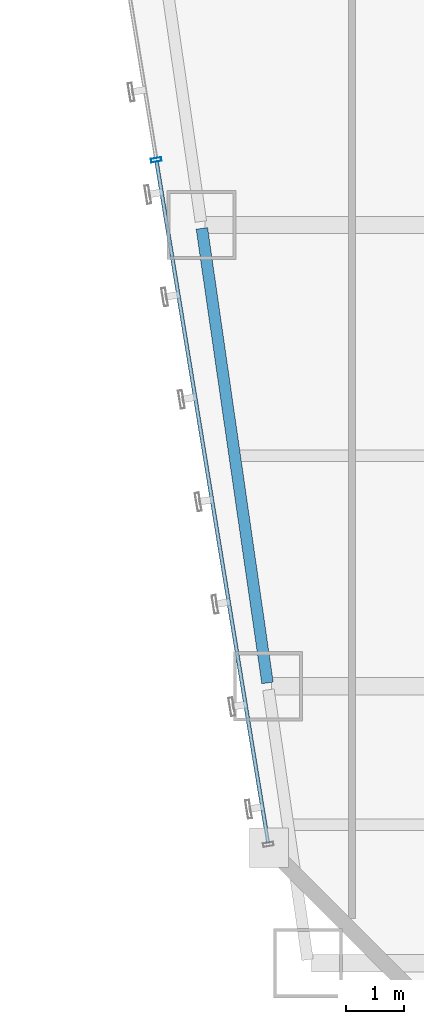
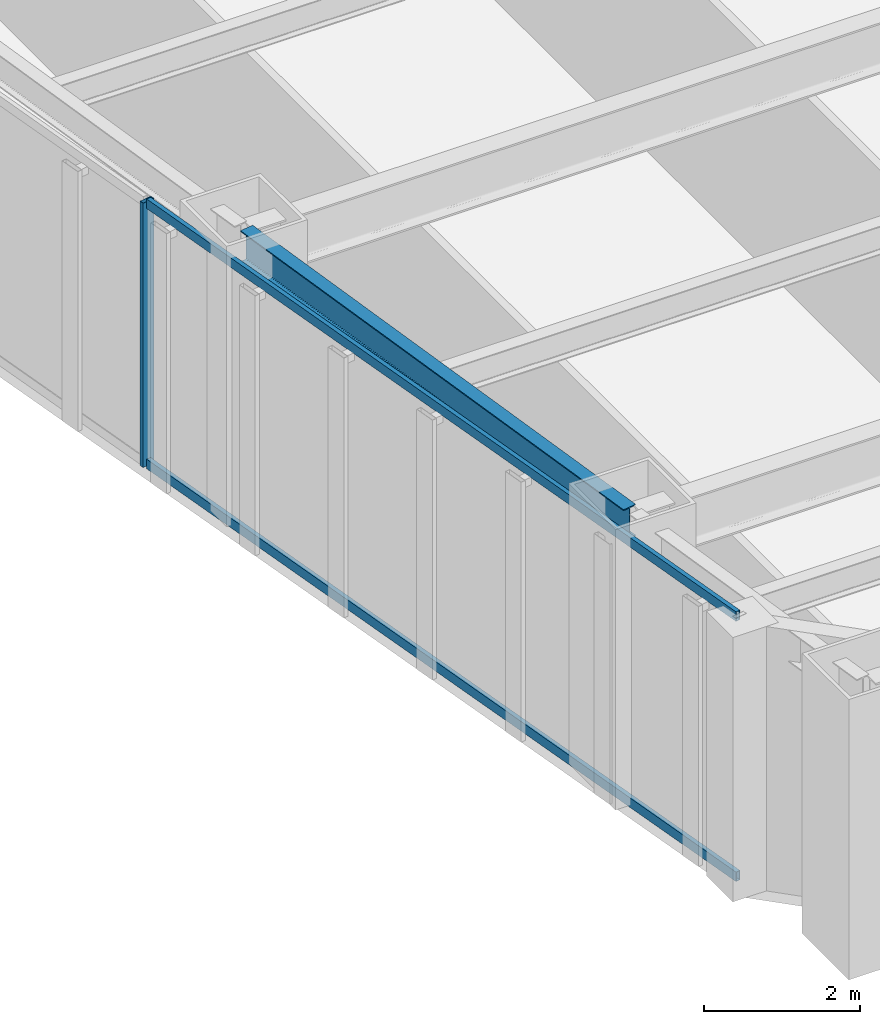
# One storey, part 5 of 47: 3 members, 1 beam, 1 element without a shape of its own.
"""IFC4 building model written with IfcOpenShell, lengths in metres."""

from ifc_helpers import new_model, si_unit, direction, frame, origin, origin_2d, place, context, subcontext, project, spatial, hollow_rectangle, i_section, extrude, material, material_profile, profile_set, type_object, element, aggregate, save


model = new_model("IFC4")

# Units and contexts
model_context = context("Model", 3, precision=1e-05, world=origin(), true_north=direction((0.0, 1.0)))
body_context = subcontext(model_context, "Body", "Model", "MODEL_VIEW")
ifc_project = project(units=[si_unit("LENGTHUNIT", "METRE"), si_unit("AREAUNIT", "SQUARE_METRE"), si_unit("VOLUMEUNIT", "CUBIC_METRE"), si_unit("PLANEANGLEUNIT", "RADIAN"), si_unit("MASSUNIT", "GRAM", prefix="KILO")], contexts=[model_context])

# Site, building, storey
site_placement = place(None, origin())
site = spatial("IfcSite", under=ifc_project, at=site_placement, CompositionType="ELEMENT")
building_placement = place(site_placement, origin())
building = spatial("IfcBuilding", under=site, at=building_placement, Name="Saevonmaru Cultural Tower", CompositionType="ELEMENT")
storey_placement = place(building_placement, frame((0.0, 0.0, 69.199951171875)))
storey = spatial("IfcBuildingStorey", under=building, at=storey_placement, Name="L14", CompositionType="ELEMENT", Elevation=69.199951171875)

# Beam
ifc_material_1 = material(Name="Steel SM355", Category="steel")
ifc_material_profile_1 = material_profile(ifc_material_1, i_section(OverallWidth=0.199951171875, OverallDepth=0.5, WebThickness=0.010009765625, FlangeThickness=0.01611328125, FilletRadius=0.02001953125, at=origin_2d()), Name="H-500x200x10x16")
ifc_profile_set_1 = profile_set([ifc_material_profile_1], Name="Steel SM355")
beam_type = type_object("IfcBeamType", Name="BM-SP-H500", PredefinedType="SPANDREL", material=ifc_profile_set_1)
beam_placement = place(storey_placement, frame((11.7744140625, 8.059326171875, 3.900146484375), z_axis=(-0.142871999001, 0.989741174197, 0.0), x_axis=(-0.989741174197, -0.142871999001, 0.0)))
element("IfcBeam", 1, at=beam_placement, inside=storey, type_object=beam_type, Name="L14 West Splayed Spandrel 2", PredefinedType="SPANDREL", context=body_context, shape_type="SweptSolid", body=[
    extrude(i_section(OverallWidth=0.199951171875, OverallDepth=0.5, WebThickness=0.010009765625, FlangeThickness=0.01611328125, FilletRadius=0.02001953125, at=origin_2d()), origin(), (0.0, 0.0, 1.0), 7.963134765625),
])

# Curtain wall, members
ifc_material_2 = material(Name="Satin Bronze Anodised Aluminium", Category="aluminium")
curtain_wall_type = type_object("IfcCurtainWallType", Name="CW-TYP-A", PredefinedType="NOTDEFINED", material=ifc_material_2)
curtain_wall_placement = place(storey_placement, origin())
curtain_wall = element("IfcCurtainWall", 2, at=curtain_wall_placement, inside=storey, type_object=curtain_wall_type, Name="L14 Unitised Curtain Wall E12", PredefinedType="NOTDEFINED")
ifc_material_profile_2 = material_profile(ifc_material_2, hollow_rectangle(XDim=0.06494140625, YDim=0.179931640625, WallThickness=0.00390625, at=origin_2d()), Name="ALU-MULL-180x65x4")
ifc_profile_set_2 = profile_set([ifc_material_profile_2], Name="Satin Bronze Anodised Aluminium")
member_type_1 = type_object("IfcMemberType", Name="ML-CW-180x65", PredefinedType="MULLION", material=ifc_profile_set_2)
member_1_placement = place(storey_placement, frame((9.84521484375, 17.129638671875, 0.0), z_axis=(0.0, 0.0, 1.0), x_axis=(0.161708868641, -0.986838508472, 0.0)))
member_1 = element("IfcMember", 3, at=member_1_placement, type_object=member_type_1, Name="CW-TW-L14-E12 mullion 4", PredefinedType="MULLION", context=body_context, shape_type="SweptSolid", body=[
    extrude(hollow_rectangle(XDim=0.06494140625, YDim=0.179931640625, WallThickness=0.00390625, at=origin_2d()), origin(), (0.0, 0.0, 1.0), 4.150146484375),
])
ifc_material_profile_3 = material_profile(ifc_material_2, hollow_rectangle(XDim=0.06494140625, YDim=0.14990234375, WallThickness=0.00390625, at=origin_2d()), Name="ALU-TRAN-150x65x4")
ifc_profile_set_3 = profile_set([ifc_material_profile_3], Name="Satin Bronze Anodised Aluminium")
member_type_2 = type_object("IfcMemberType", Name="TR-CW-150x65", PredefinedType="USERDEFINED", material=ifc_profile_set_3)
member_2_placement = place(storey_placement, frame((9.850341796875, 17.097412109375, 0.032470703125), z_axis=(0.161724530373, -0.986835941925, 0.0), x_axis=(0.986835941925, 0.161724530373, 0.0)))
member_2 = element("IfcMember", 4, at=member_2_placement, type_object=member_type_2, Name="CW-TW-L14-E12 transom 4.1", ObjectType="TRANSOM", PredefinedType="USERDEFINED", context=body_context, shape_type="SweptSolid", body=[
    extrude(hollow_rectangle(XDim=0.06494140625, YDim=0.14990234375, WallThickness=0.00390625, at=origin_2d()), origin(), (0.0, 0.0, 1.0), 11.963623046875),
])
member_3_placement = place(storey_placement, frame((9.850341796875, 17.097412109375, 4.117431640625), z_axis=(0.161724530373, -0.986835941925, 0.0), x_axis=(0.986835941925, 0.161724530373, 0.0)))
member_3 = element("IfcMember", 5, at=member_3_placement, type_object=member_type_2, Name="CW-TW-L14-E12 transom 4.2", ObjectType="TRANSOM", PredefinedType="USERDEFINED", context=body_context, shape_type="SweptSolid", body=[
    extrude(hollow_rectangle(XDim=0.06494140625, YDim=0.14990234375, WallThickness=0.00390625, at=origin_2d()), origin(), (0.0, 0.0, 1.0), 11.963623046875),
])
aggregate(curtain_wall, [member_1, member_2, member_3])

save(model, "model.ifc")
